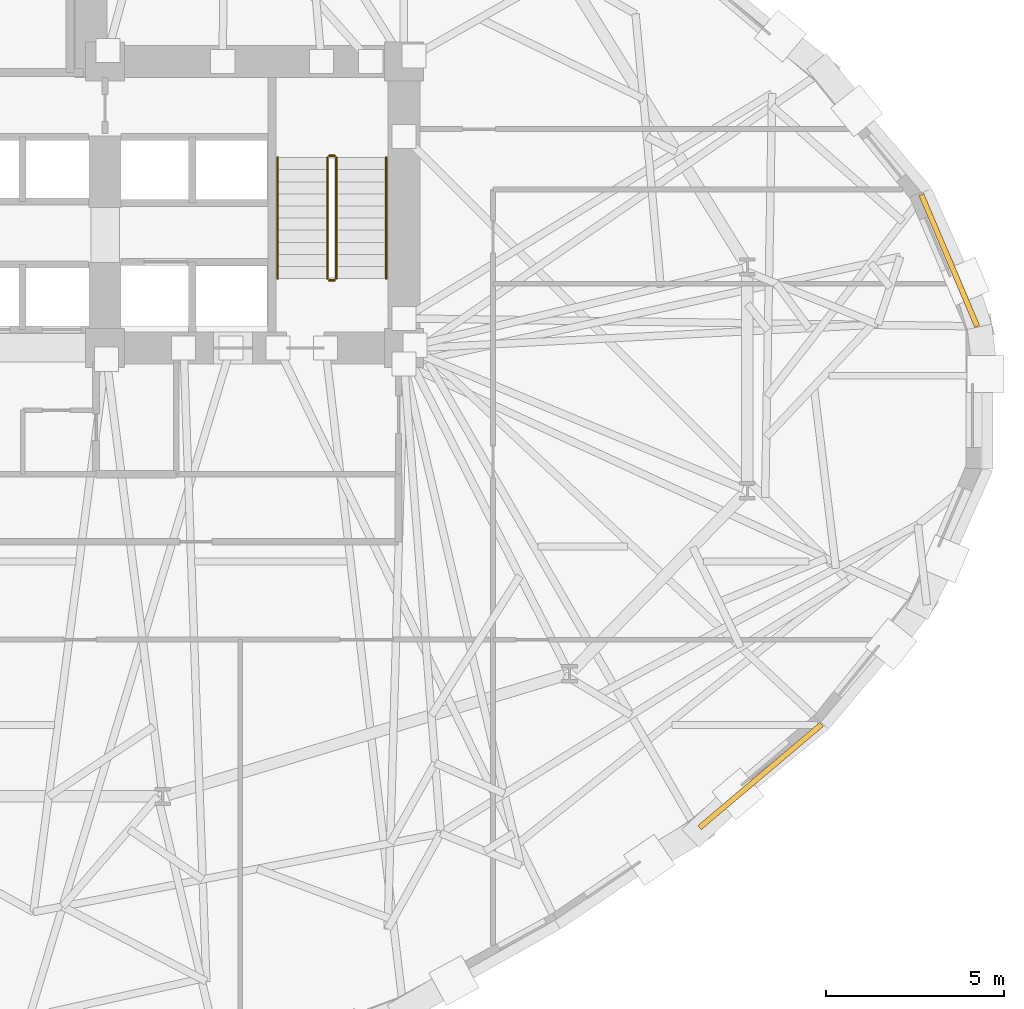
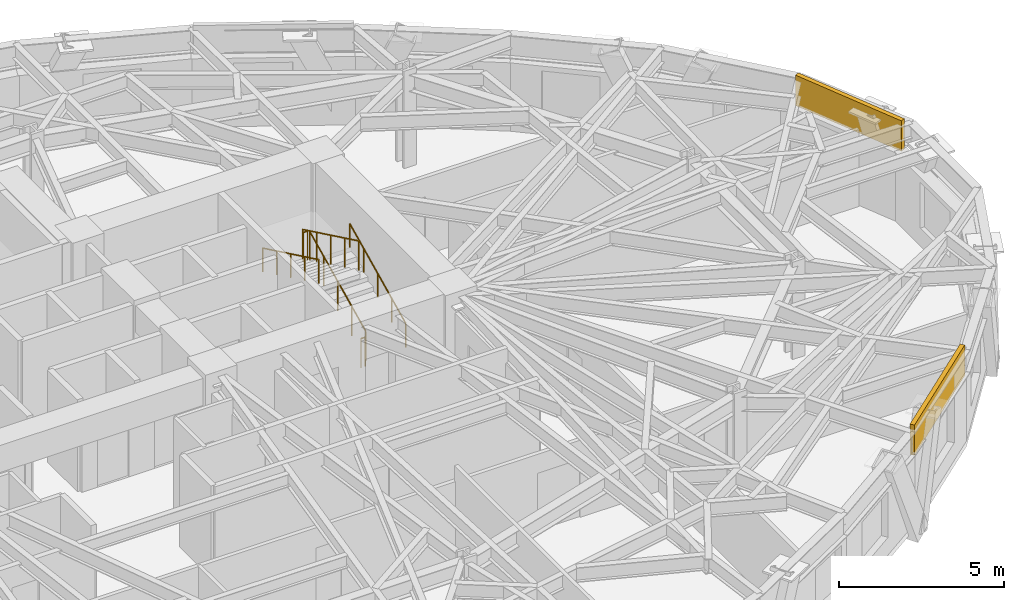
# One storey, part 16 of 17: 6 railings, 2 coverings.
"""IFC4 building model written with IfcOpenShell, lengths in metres."""

from ifc_helpers import new_model, si_unit, direction, frame, origin, origin_2d, place, context, subcontext, project, spatial, rectangle, circle, extrude, material, layer, layer_set, type_object, element, save


model = new_model("IFC4")

# Units and contexts
model_context = context("Model", 3, precision=1e-05, world=origin(), true_north=direction((0.0, 1.0)))
body_context = subcontext(model_context, "Body", "Model", "MODEL_VIEW")
ifc_project = project(units=[si_unit("LENGTHUNIT", "METRE"), si_unit("AREAUNIT", "SQUARE_METRE"), si_unit("VOLUMEUNIT", "CUBIC_METRE"), si_unit("PLANEANGLEUNIT", "RADIAN"), si_unit("MASSUNIT", "GRAM", prefix="KILO")], contexts=[model_context])

# Site, building, storey
site_placement = place(None, origin())
site = spatial("IfcSite", under=ifc_project, at=site_placement, CompositionType="ELEMENT")
building_placement = place(site_placement, origin())
building = spatial("IfcBuilding", under=site, at=building_placement, Name="Keldmark Tower", CompositionType="ELEMENT")
storey_placement = place(building_placement, frame((0.0, 0.0, 70.199951171875)))
storey = spatial("IfcBuildingStorey", under=building, at=storey_placement, Name="L18", CompositionType="ELEMENT", Elevation=70.199951171875)

# Coverings
ifc_material_1 = material(Name="Honed Kasota Buff Dolomitic Limestone", Category="masonry")
ifc_layer = layer(ifc_material_1, 0.074951171875)
ifc_layer_set = layer_set([ifc_layer], Name="Honed Kasota Buff Dolomitic Limestone")
covering_type = type_object("IfcCoveringType", Name="Kasota Buff Limestone Spandrel Cladding Band", PredefinedType="CLADDING", material=ifc_layer_set)
covering_1_placement = place(storey_placement, frame((28.926513671875, 3.855712890625, 2.453125), z_axis=(0.0, 0.0, 1.0), x_axis=(-0.390233030268, 0.920716124594, 0.0)))
element("IfcCovering", 1, at=covering_1_placement, inside=storey, type_object=covering_type, Name="L18 Kasota Limestone Spandrel Band 01", PredefinedType="CLADDING", context=body_context, shape_type="SweptSolid", body=[
    extrude(rectangle(XDim=4.020263671875, YDim=0.14990234375, at=origin_2d()), origin(), (0.0, 0.0, 1.0), 1.126953125),
])
covering_2_placement = place(storey_placement, frame((23.623046875, -10.631591796875, 2.453125), z_axis=(0.0, 0.0, 1.0), x_axis=(0.763536863779, 0.645764243087, 0.0)))
element("IfcCovering", 2, at=covering_2_placement, inside=storey, type_object=covering_type, Name="L18 Kasota Limestone Spandrel Band 29", PredefinedType="CLADDING", context=body_context, shape_type="SweptSolid", body=[
    extrude(rectangle(XDim=4.493408203125, YDim=0.14990234375, at=origin_2d()), origin(), (0.0, 0.0, 1.0), 1.126953125),
])

# Railings
ifc_material_2 = material(Name="Painted Steel ASTM A500 Grade B", Category="steel")
railing_type_1 = type_object("IfcRailingType", Name="Painted Steel Stair Well Guard 1100 mm", PredefinedType="GUARDRAIL", material=ifc_material_2)
railing_1_placement = place(storey_placement, frame((11.699951171875, 3.35009765625, 0.16357421875)))
element("IfcRailing", 3, at=railing_1_placement, inside=storey, type_object=railing_type_1, Name="L18 ST2 stair guard 1", PredefinedType="GUARDRAIL", context=body_context, shape_type="SweptSolid", body=[
    extrude(circle(Radius=0.02392578125, at=origin_2d()), frame((0.0, 0.0, 1.076171875), z_axis=(0.0, 0.901055053782, 0.433704726806), x_axis=(-1.0, 0.0, 0.0)), (0.0, 0.0, 1.0), 3.773193359375),
    extrude(circle(Radius=0.02099609375, at=origin_2d()), origin(), (0.0, 0.0, 1.0), 1.052001953125),
    extrude(circle(Radius=0.02099609375, at=origin_2d()), frame((0.0, 0.85009765625, 0.4091796875)), (0.0, 0.0, 1.0), 1.052001953125),
    extrude(circle(Radius=0.02099609375, at=origin_2d()), frame((0.0, 1.699951171875, 0.818359375)), (0.0, 0.0, 1.0), 1.052001953125),
    extrude(circle(Radius=0.02099609375, at=origin_2d()), frame((0.0, 2.5498046875, 1.227294921875)), (0.0, 0.0, 1.0), 1.052001953125),
    extrude(circle(Radius=0.02099609375, at=origin_2d()), frame((0.0, 3.39990234375, 1.636474609375)), (0.0, 0.0, 1.0), 1.052001953125),
])
railing_2_placement = place(storey_placement, frame((11.64990234375, 6.800048828125, 1.800048828125)))
element("IfcRailing", 4, at=railing_2_placement, inside=storey, type_object=railing_type_1, Name="L18 ST2 stair guard 2", PredefinedType="GUARDRAIL", context=body_context, shape_type="SweptSolid", body=[
    extrude(circle(Radius=0.02392578125, at=origin_2d()), frame((0.0, 0.0, 1.076171875), z_axis=(-1.0, 0.0, 0.0), x_axis=(0.0, -1.0, 0.0)), (0.0, 0.0, 1.0), 0.14990234375),
    extrude(circle(Radius=0.02099609375, at=origin_2d()), origin(), (0.0, 0.0, 1.0), 1.052001953125),
    extrude(circle(Radius=0.02099609375, at=origin_2d()), frame((-0.14990234375, 0.0, 0.0)), (0.0, 0.0, 1.0), 1.052001953125),
])
railing_3_placement = place(storey_placement, frame((11.449951171875, 6.75, 1.963623046875)))
element("IfcRailing", 5, at=railing_3_placement, inside=storey, type_object=railing_type_1, Name="L18 ST2 stair guard 3", PredefinedType="GUARDRAIL", context=body_context, shape_type="SweptSolid", body=[
    extrude(circle(Radius=0.02392578125, at=origin_2d()), frame((0.0, 0.0, 1.076171875), z_axis=(0.0, -0.901055053782, 0.433704726806), x_axis=(1.0, 0.0, 0.0)), (0.0, 0.0, 1.0), 3.773193359375),
    extrude(circle(Radius=0.02099609375, at=origin_2d()), origin(), (0.0, 0.0, 1.0), 1.052001953125),
    extrude(circle(Radius=0.02099609375, at=origin_2d()), frame((0.0, -0.85009765625, 0.4091796875)), (0.0, 0.0, 1.0), 1.052001953125),
    extrude(circle(Radius=0.02099609375, at=origin_2d()), frame((0.0, -1.699951171875, 0.818359375)), (0.0, 0.0, 1.0), 1.052001953125),
    extrude(circle(Radius=0.02099609375, at=origin_2d()), frame((0.0, -2.5498046875, 1.227294921875)), (0.0, 0.0, 1.0), 1.052001953125),
    extrude(circle(Radius=0.02099609375, at=origin_2d()), frame((0.0, -3.39990234375, 1.636474609375)), (0.0, 0.0, 1.0), 1.052001953125),
])
railing_4_placement = place(storey_placement, frame((11.64990234375, 3.300048828125, 0.0)))
element("IfcRailing", 6, at=railing_4_placement, inside=storey, type_object=railing_type_1, Name="L18 ST2 stair guard 4", PredefinedType="GUARDRAIL", context=body_context, shape_type="SweptSolid", body=[
    extrude(circle(Radius=0.02392578125, at=origin_2d()), frame((0.0, 0.0, 1.076171875), z_axis=(-1.0, 0.0, 0.0), x_axis=(0.0, -1.0, 0.0)), (0.0, 0.0, 1.0), 0.14990234375),
    extrude(circle(Radius=0.02099609375, at=origin_2d()), origin(), (0.0, 0.0, 1.0), 1.052001953125),
    extrude(circle(Radius=0.02099609375, at=origin_2d()), frame((-0.14990234375, 0.0, 0.0)), (0.0, 0.0, 1.0), 1.052001953125),
])
ifc_material_3 = material(Name="Stainless Steel AISI 316L", Category="steel")
railing_type_2 = type_object("IfcRailingType", Name="Stainless Steel Stair Handrail 900 mm", PredefinedType="HANDRAIL", material=ifc_material_3)
railing_5_placement = place(storey_placement, frame((13.10009765625, 3.35009765625, 0.16357421875)))
element("IfcRailing", 7, at=railing_5_placement, inside=storey, type_object=railing_type_2, Name="L18 ST2 stair handrail 1", PredefinedType="HANDRAIL", context=body_context, shape_type="SweptSolid", body=[
    extrude(circle(Radius=0.02392578125, at=origin_2d()), frame((0.0, 0.0, 0.8759765625), z_axis=(0.0, 0.901055053782, 0.433704726806), x_axis=(-1.0, 0.0, 0.0)), (0.0, 0.0, 1.0), 3.773193359375),
    extrude(circle(Radius=0.02099609375, at=origin_2d()), origin(), (0.0, 0.0, 1.0), 0.851806640625),
    extrude(circle(Radius=0.02099609375, at=origin_2d()), frame((0.0, 0.85009765625, 0.4091796875)), (0.0, 0.0, 1.0), 0.851806640625),
    extrude(circle(Radius=0.02099609375, at=origin_2d()), frame((0.0, 1.699951171875, 0.818359375)), (0.0, 0.0, 1.0), 0.851806640625),
    extrude(circle(Radius=0.02099609375, at=origin_2d()), frame((0.0, 2.5498046875, 1.227294921875)), (0.0, 0.0, 1.0), 0.851806640625),
    extrude(circle(Radius=0.02099609375, at=origin_2d()), frame((0.0, 3.39990234375, 1.636474609375)), (0.0, 0.0, 1.0), 0.851806640625),
])
railing_6_placement = place(storey_placement, frame((10.050048828125, 6.75, 1.963623046875)))
element("IfcRailing", 8, at=railing_6_placement, inside=storey, type_object=railing_type_2, Name="L18 ST2 stair handrail 2", PredefinedType="HANDRAIL", context=body_context, shape_type="SweptSolid", body=[
    extrude(circle(Radius=0.02392578125, at=origin_2d()), frame((0.0, 0.0, 0.8759765625), z_axis=(0.0, -0.901055053782, 0.433704726806), x_axis=(1.0, 0.0, 0.0)), (0.0, 0.0, 1.0), 3.773193359375),
    extrude(circle(Radius=0.02099609375, at=origin_2d()), origin(), (0.0, 0.0, 1.0), 0.851806640625),
    extrude(circle(Radius=0.02099609375, at=origin_2d()), frame((0.0, -0.85009765625, 0.4091796875)), (0.0, 0.0, 1.0), 0.851806640625),
    extrude(circle(Radius=0.02099609375, at=origin_2d()), frame((0.0, -1.699951171875, 0.818359375)), (0.0, 0.0, 1.0), 0.851806640625),
    extrude(circle(Radius=0.02099609375, at=origin_2d()), frame((0.0, -2.5498046875, 1.227294921875)), (0.0, 0.0, 1.0), 0.851806640625),
    extrude(circle(Radius=0.02099609375, at=origin_2d()), frame((0.0, -3.39990234375, 1.636474609375)), (0.0, 0.0, 1.0), 0.851806640625),
])

save(model, "model.ifc")
